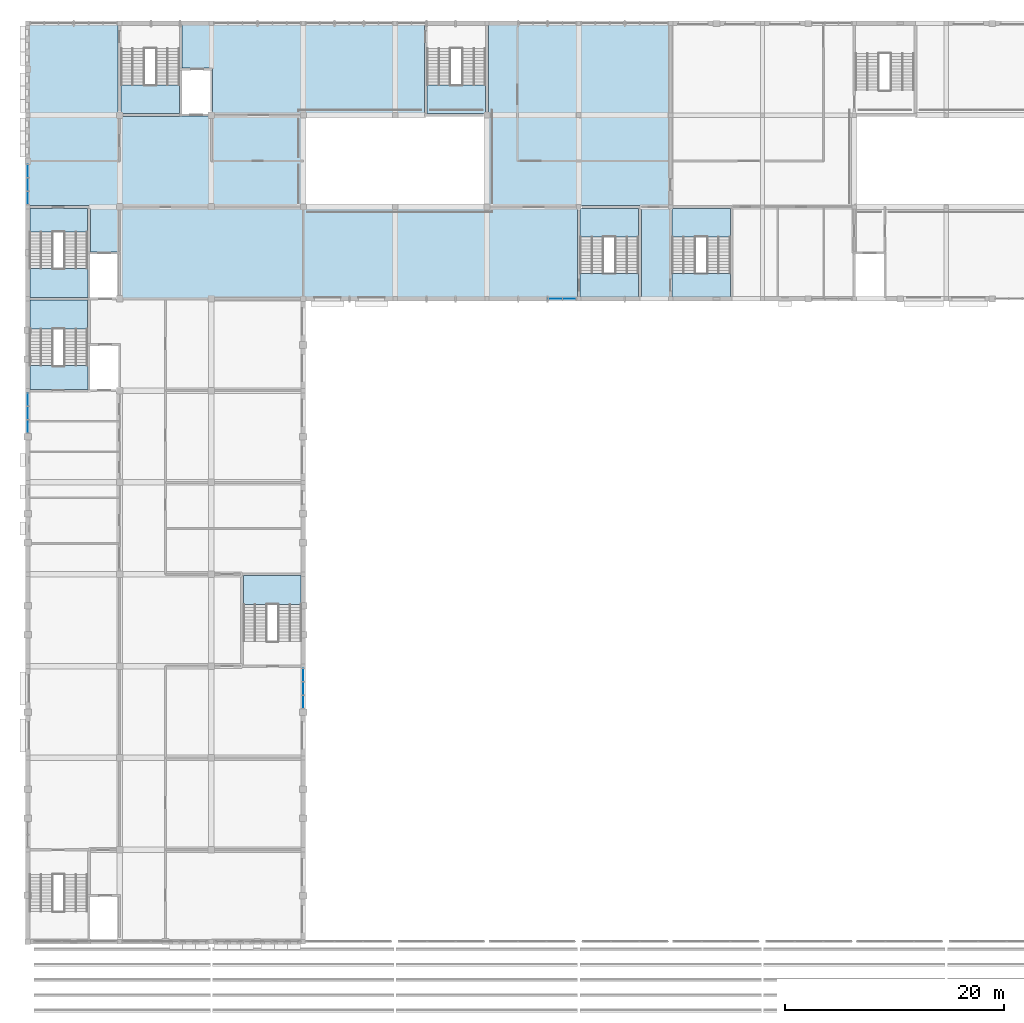
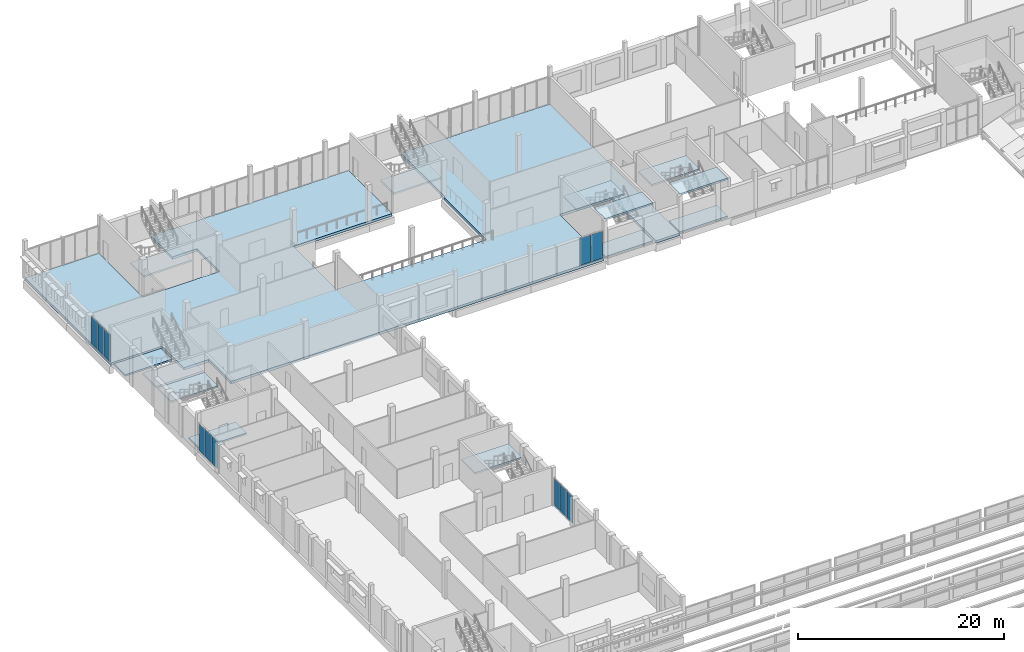
# One storey, part 86 of 116: 14 slabs, 11 plates, 11 elements without a shape of their own.
"""IFC4 building model written with IfcOpenShell, lengths in metres."""

from ifc_helpers import new_model, si_unit, direction, frame, origin, origin_2d, place, context, subcontext, project, spatial, polyline, rectangle, outline, extrude, material, layer, layer_set, type_object, element, aggregate, save


model = new_model("IFC4")

# Units and contexts
model_context = context("Model", 3, precision=1e-05, world=origin(), true_north=direction((0.0, 1.0)))
body_context = subcontext(model_context, "Body", "Model", "MODEL_VIEW")
ifc_project = project(units=[si_unit("LENGTHUNIT", "METRE"), si_unit("AREAUNIT", "SQUARE_METRE"), si_unit("VOLUMEUNIT", "CUBIC_METRE"), si_unit("PLANEANGLEUNIT", "RADIAN"), si_unit("MASSUNIT", "GRAM", prefix="KILO")], contexts=[model_context])

# Site, building, storey
site_placement = place(None, origin())
site = spatial("IfcSite", under=ifc_project, at=site_placement, CompositionType="ELEMENT")
building_placement = place(site_placement, origin())
building = spatial("IfcBuilding", under=site, at=building_placement, Name="Fescue Hill Polytechnic", CompositionType="ELEMENT")
storey_placement = place(building_placement, frame((0.0, 0.0, 13.5)))
storey = spatial("IfcBuildingStorey", under=building, at=storey_placement, Name="L03", CompositionType="ELEMENT", Elevation=13.5)

# Slab
ifc_material_1 = material(Name="Concrete 35 MPa", Category="concrete")
ifc_layer_1 = layer(ifc_material_1, 0.300048828125)
ifc_layer_set_1 = layer_set([ifc_layer_1], Name="Concrete 35 MPa")
slab_type_1 = type_object("IfcSlabType", Name="Floor slab 300", PredefinedType="FLOOR", material=ifc_layer_set_1)
slab_1_placement = place(storey_placement, frame((0.0, 0.0, -0.300048828125)))
element("IfcSlab", 1, at=slab_1_placement, inside=storey, type_object=slab_type_1, Name="SL-L03-V5-1", PredefinedType="FLOOR", context=body_context, shape_type="SweptSolid", body=[
    extrude(outline(polyline([(0.0, 134.39990234375), (8.27490234375, 134.39990234375), (8.27490234375, 125.875), (14.125, 125.875), (14.125, 125.89990234375), (16.89990234375, 125.89990234375), (16.89990234375, 130.300048828125), (14.125, 130.300048828125), (14.125, 134.39990234375), (36.27490234375, 134.39990234375), (36.27490234375, 126.0), (25.199951171875, 126.0), (25.199951171875, 117.60009765625), (42.0, 117.60009765625), (42.0, 125.875), (42.125, 125.875), (42.125, 134.39990234375), (58.800048828125, 134.39990234375), (58.800048828125, 109.199951171875), (56.125, 109.199951171875), (56.125, 117.72509765625), (50.27490234375, 117.72509765625), (50.27490234375, 109.199951171875), (8.5, 109.199951171875), (8.5, 113.5), (5.72509765625, 113.5), (5.72509765625, 117.72509765625), (0.0, 117.72509765625), (0.0, 134.39990234375)])), origin(), (0.0, 0.0, 1.0), 0.300048828125),
])

# Curtain wall, plates
ifc_material_2 = material(Name="Glass", Category="glass")
curtain_wall_type = type_object("IfcCurtainWallType", Name="Curtain wall structural glazing", PredefinedType="NOTDEFINED", material=ifc_material_2)
curtain_wall_1_placement = place(storey_placement, origin())
curtain_wall_1 = element("IfcCurtainWall", 2, at=curtain_wall_1_placement, inside=storey, type_object=curtain_wall_type, Name="CW-L03-V4-X2", PredefinedType="NOTDEFINED")
ifc_layer_2 = layer(ifc_material_2, 0.028076171875)
ifc_layer_set_2 = layer_set([ifc_layer_2], Name="Glass")
plate_type = type_object("IfcPlateType", Name="Panel glazing 28", PredefinedType="CURTAIN_PANEL", material=ifc_layer_set_2)
plate_1_placement = place(storey_placement, frame((0.0, 99.96826171875, 0.06005859375), z_axis=(0.0, 0.0, 1.0), x_axis=(0.0, -1.0, 0.0)))
plate_1 = element("IfcPlate", 3, at=plate_1_placement, type_object=plate_type, Name="CW129 panel 1.1", PredefinedType="CURTAIN_PANEL", context=body_context, shape_type="SweptSolid", body=[
    extrude(rectangle(XDim=1.143310546875, YDim=0.028076171875, at=origin_2d()), origin(), (0.0, 0.0, 1.0), 3.2099609375),
])
plate_2_placement = place(storey_placement, frame((0.0, 98.75, 0.06005859375), z_axis=(0.0, 0.0, 1.0), x_axis=(0.0, -1.0, 0.0)))
plate_2 = element("IfcPlate", 4, at=plate_2_placement, type_object=plate_type, Name="CW129 panel 2.1", PredefinedType="CURTAIN_PANEL", context=body_context, shape_type="SweptSolid", body=[
    extrude(rectangle(XDim=1.17333984375, YDim=0.028076171875, at=origin_2d()), origin(), (0.0, 0.0, 1.0), 3.2099609375),
])
plate_3_placement = place(storey_placement, frame((0.0, 97.53173828125, 0.06005859375), z_axis=(0.0, 0.0, 1.0), x_axis=(0.0, -1.0, 0.0)))
plate_3 = element("IfcPlate", 5, at=plate_3_placement, type_object=plate_type, Name="CW129 panel 3.1", PredefinedType="CURTAIN_PANEL", context=body_context, shape_type="SweptSolid", body=[
    extrude(rectangle(XDim=1.143310546875, YDim=0.028076171875, at=origin_2d()), origin(), (0.0, 0.0, 1.0), 3.2099609375),
])
aggregate(curtain_wall_1, [plate_1, plate_2, plate_3])

curtain_wall_2_placement = place(storey_placement, origin())
curtain_wall_2 = element("IfcCurtainWall", 6, at=curtain_wall_2_placement, inside=storey, type_object=curtain_wall_type, Name="CW-L03-V4-X3", PredefinedType="NOTDEFINED")
plate_4_placement = place(storey_placement, frame((25.199951171875, 72.331787109375, 0.06005859375), z_axis=(0.0, 0.0, 1.0), x_axis=(0.0, 1.0, 0.0)))
plate_4 = element("IfcPlate", 7, at=plate_4_placement, type_object=plate_type, Name="CW136 panel 1.1", PredefinedType="CURTAIN_PANEL", context=body_context, shape_type="SweptSolid", body=[
    extrude(rectangle(XDim=1.143310546875, YDim=0.028076171875, at=origin_2d()), origin(), (0.0, 0.0, 1.0), 3.2099609375),
])
plate_5_placement = place(storey_placement, frame((25.199951171875, 73.550048828125, 0.06005859375), z_axis=(0.0, 0.0, 1.0), x_axis=(0.0, 1.0, 0.0)))
plate_5 = element("IfcPlate", 8, at=plate_5_placement, type_object=plate_type, Name="CW136 panel 2.1", PredefinedType="CURTAIN_PANEL", context=body_context, shape_type="SweptSolid", body=[
    extrude(rectangle(XDim=1.17333984375, YDim=0.028076171875, at=origin_2d()), origin(), (0.0, 0.0, 1.0), 3.2099609375),
])
plate_6_placement = place(storey_placement, frame((25.199951171875, 74.768310546875, 0.06005859375), z_axis=(0.0, 0.0, 1.0), x_axis=(0.0, 1.0, 0.0)))
plate_6 = element("IfcPlate", 9, at=plate_6_placement, type_object=plate_type, Name="CW136 panel 3.1", PredefinedType="CURTAIN_PANEL", context=body_context, shape_type="SweptSolid", body=[
    extrude(rectangle(XDim=1.143310546875, YDim=0.028076171875, at=origin_2d()), origin(), (0.0, 0.0, 1.0), 3.2099609375),
])
aggregate(curtain_wall_2, [plate_4, plate_5, plate_6])

curtain_wall_3_placement = place(storey_placement, origin())
curtain_wall_3 = element("IfcCurtainWall", 10, at=curtain_wall_3_placement, inside=storey, type_object=curtain_wall_type, Name="CW-L03-V5-X1", PredefinedType="NOTDEFINED")
plate_7_placement = place(storey_placement, frame((0.0, 120.868408203125, 0.06005859375), z_axis=(0.0, 0.0, 1.0), x_axis=(0.0, -1.0, 0.0)))
plate_7 = element("IfcPlate", 11, at=plate_7_placement, type_object=plate_type, Name="CW146 panel 1.1", PredefinedType="CURTAIN_PANEL", context=body_context, shape_type="SweptSolid", body=[
    extrude(rectangle(XDim=1.143310546875, YDim=0.028076171875, at=origin_2d()), origin(), (0.0, 0.0, 1.0), 3.2099609375),
])
plate_8_placement = place(storey_placement, frame((0.0, 119.64990234375, 0.06005859375), z_axis=(0.0, 0.0, 1.0), x_axis=(0.0, -1.0, 0.0)))
plate_8 = element("IfcPlate", 12, at=plate_8_placement, type_object=plate_type, Name="CW146 panel 2.1", PredefinedType="CURTAIN_PANEL", context=body_context, shape_type="SweptSolid", body=[
    extrude(rectangle(XDim=1.17333984375, YDim=0.028076171875, at=origin_2d()), origin(), (0.0, 0.0, 1.0), 3.2099609375),
])
plate_9_placement = place(storey_placement, frame((0.0, 118.431640625, 0.06005859375), z_axis=(0.0, 0.0, 1.0), x_axis=(0.0, -1.0, 0.0)))
plate_9 = element("IfcPlate", 13, at=plate_9_placement, type_object=plate_type, Name="CW146 panel 3.1", PredefinedType="CURTAIN_PANEL", context=body_context, shape_type="SweptSolid", body=[
    extrude(rectangle(XDim=1.143310546875, YDim=0.028076171875, at=origin_2d()), origin(), (0.0, 0.0, 1.0), 3.2099609375),
])
aggregate(curtain_wall_3, [plate_7, plate_8, plate_9])

curtain_wall_4_placement = place(storey_placement, origin())
curtain_wall_4 = element("IfcCurtainWall", 14, at=curtain_wall_4_placement, inside=storey, type_object=curtain_wall_type, Name="CW-L03-V5-X4", PredefinedType="NOTDEFINED")
plate_10_placement = place(storey_placement, frame((48.260009765625, 109.199951171875, 0.06005859375), z_axis=(0.0, 0.0, 1.0), x_axis=(1.0, 0.0, 0.0)))
plate_10 = element("IfcPlate", 15, at=plate_10_placement, type_object=plate_type, Name="CW164 panel 1.1", PredefinedType="CURTAIN_PANEL", context=body_context, shape_type="SweptSolid", body=[
    extrude(rectangle(XDim=1.21337890625, YDim=0.028076171875, at=origin_2d()), origin(), (0.0, 0.0, 1.0), 3.2099609375),
])
plate_11_placement = place(storey_placement, frame((49.533203125, 109.199951171875, 0.06005859375), z_axis=(0.0, 0.0, 1.0), x_axis=(1.0, 0.0, 0.0)))
plate_11 = element("IfcPlate", 16, at=plate_11_placement, type_object=plate_type, Name="CW164 panel 2.1", PredefinedType="CURTAIN_PANEL", context=body_context, shape_type="SweptSolid", body=[
    extrude(rectangle(XDim=1.21337890625, YDim=0.028076171875, at=origin_2d()), origin(), (0.0, 0.0, 1.0), 3.2099609375),
])
aggregate(curtain_wall_4, [plate_10, plate_11])

# Stair, slabs
stair_type = type_object("IfcStairType", Name="Half-turn stair 2150 flights", PredefinedType="HALF_TURN_STAIR", material=ifc_material_1)
stair_1_placement = place(storey_placement, origin())
stair_1 = element("IfcStair", 17, at=stair_1_placement, inside=storey, type_object=stair_type, Name="L03 ST-V4-2 stair", PredefinedType="HALF_TURN_STAIR")
ifc_layer_3 = layer(ifc_material_1, 0.199951171875)
ifc_layer_set_3 = layer_set([ifc_layer_3], Name="Concrete 35 MPa")
slab_type_2 = type_object("IfcSlabType", Name="Stair landing slab 200", PredefinedType="LANDING", material=ifc_layer_set_3)
slab_2_placement = place(storey_placement, frame((0.0, 0.0, 2.050048828125)))
slab_2 = element("IfcSlab", 18, at=slab_2_placement, type_object=slab_type_2, Name="S16 landing 1", PredefinedType="LANDING", context=body_context, shape_type="SweptSolid", body=[
    extrude(outline(polyline([(0.22509765625, 106.43505859375), (5.47509765625, 106.43505859375), (5.47509765625, 109.074951171875), (0.22509765625, 109.074951171875), (0.22509765625, 106.43505859375)])), origin(), (0.0, 0.0, 1.0), 0.199951171875),
])
slab_3_placement = place(storey_placement, frame((0.0, 0.0, -0.199951171875)))
slab_3 = element("IfcSlab", 19, at=slab_3_placement, type_object=slab_type_2, Name="S16 landing 2", PredefinedType="LANDING", context=body_context, shape_type="SweptSolid", body=[
    extrude(outline(polyline([(0.22509765625, 100.925048828125), (5.5, 100.925048828125), (5.5, 103.074951171875), (0.22509765625, 103.074951171875), (0.22509765625, 100.925048828125)])), origin(), (0.0, 0.0, 1.0), 0.199951171875),
])
aggregate(stair_1, [slab_2, slab_3])

# Stair, slab
stair_2_placement = place(storey_placement, origin())
stair_2 = element("IfcStair", 20, at=stair_2_placement, inside=storey, type_object=stair_type, Name="L03 ST-V4-3 stair", PredefinedType="HALF_TURN_STAIR")
slab_4_placement = place(storey_placement, frame((0.0, 0.0, 2.050048828125)))
slab_4 = element("IfcSlab", 21, at=slab_4_placement, type_object=slab_type_2, Name="S17 landing 1", PredefinedType="LANDING", context=body_context, shape_type="SweptSolid", body=[
    extrude(outline(polyline([(19.72509765625, 81.235107421875), (24.97509765625, 81.235107421875), (24.97509765625, 83.875), (19.72509765625, 83.875), (19.72509765625, 81.235107421875)])), origin(), (0.0, 0.0, 1.0), 0.199951171875),
])
aggregate(stair_2, [slab_4])

# Stair, slabs
stair_3_placement = place(storey_placement, origin())
stair_3 = element("IfcStair", 22, at=stair_3_placement, inside=storey, type_object=stair_type, Name="L03 ST-V5-1 stair", PredefinedType="HALF_TURN_STAIR")
slab_5_placement = place(storey_placement, frame((0.0, 0.0, 2.050048828125)))
slab_5 = element("IfcSlab", 23, at=slab_5_placement, type_object=slab_type_2, Name="S18 landing 1", PredefinedType="LANDING", context=body_context, shape_type="SweptSolid", body=[
    extrude(outline(polyline([(0.2099609375, 109.324951171875), (5.5, 109.324951171875), (5.5, 111.965087890625), (0.2099609375, 111.965087890625), (0.2099609375, 109.324951171875)])), origin(), (0.0, 0.0, 1.0), 0.199951171875),
])
slab_6_placement = place(storey_placement, frame((0.0, 0.0, -0.199951171875)))
slab_6 = element("IfcSlab", 24, at=slab_6_placement, type_object=slab_type_2, Name="S18 landing 2", PredefinedType="LANDING", context=body_context, shape_type="SweptSolid", body=[
    extrude(outline(polyline([(0.2099609375, 115.324951171875), (5.47509765625, 115.324951171875), (5.47509765625, 117.47509765625), (0.2099609375, 117.47509765625), (0.2099609375, 115.324951171875)])), origin(), (0.0, 0.0, 1.0), 0.199951171875),
])
aggregate(stair_3, [slab_5, slab_6])

# Stair, slab
stair_4_placement = place(storey_placement, origin())
stair_4 = element("IfcStair", 25, at=stair_4_placement, inside=storey, type_object=stair_type, Name="L03 ST-V5-2 stair", PredefinedType="HALF_TURN_STAIR")
slab_7_placement = place(storey_placement, frame((0.0, 0.0, 2.050048828125)))
slab_7 = element("IfcSlab", 26, at=slab_7_placement, type_object=slab_type_2, Name="S19 landing 1", PredefinedType="LANDING", context=body_context, shape_type="SweptSolid", body=[
    extrude(outline(polyline([(36.52490234375, 126.125), (41.875, 126.125), (41.875, 128.739990234375), (36.52490234375, 128.739990234375), (36.52490234375, 126.125)])), origin(), (0.0, 0.0, 1.0), 0.199951171875),
])
aggregate(stair_4, [slab_7])

stair_5_placement = place(storey_placement, origin())
stair_5 = element("IfcStair", 27, at=stair_5_placement, inside=storey, type_object=stair_type, Name="L03 ST-V5-3 stair", PredefinedType="HALF_TURN_STAIR")
slab_8_placement = place(storey_placement, frame((0.0, 0.0, 2.050048828125)))
slab_8 = element("IfcSlab", 28, at=slab_8_placement, type_object=slab_type_2, Name="S20 landing 1", PredefinedType="LANDING", context=body_context, shape_type="SweptSolid", body=[
    extrude(outline(polyline([(8.52490234375, 126.125), (13.89990234375, 126.125), (13.89990234375, 128.739990234375), (8.52490234375, 128.739990234375), (8.52490234375, 126.125)])), origin(), (0.0, 0.0, 1.0), 0.199951171875),
])
aggregate(stair_5, [slab_8])

# Stair, slabs
stair_6_placement = place(storey_placement, origin())
stair_6 = element("IfcStair", 29, at=stair_6_placement, inside=storey, type_object=stair_type, Name="L03 ST-V5-4 stair", PredefinedType="HALF_TURN_STAIR")
slab_9_placement = place(storey_placement, frame((0.0, 0.0, 2.050048828125)))
slab_9 = element("IfcSlab", 30, at=slab_9_placement, type_object=slab_type_2, Name="S21 landing 1", PredefinedType="LANDING", context=body_context, shape_type="SweptSolid", body=[
    extrude(outline(polyline([(50.52490234375, 114.860107421875), (55.875, 114.860107421875), (55.875, 117.47509765625), (50.52490234375, 117.47509765625), (50.52490234375, 114.860107421875)])), origin(), (0.0, 0.0, 1.0), 0.199951171875),
])
slab_10_placement = place(storey_placement, frame((0.0, 0.0, -0.199951171875)))
slab_10 = element("IfcSlab", 31, at=slab_10_placement, type_object=slab_type_2, Name="S21 landing 2", PredefinedType="LANDING", context=body_context, shape_type="SweptSolid", body=[
    extrude(outline(polyline([(50.52490234375, 109.35009765625), (55.875, 109.35009765625), (55.875, 111.5), (50.52490234375, 111.5), (50.52490234375, 109.35009765625)])), origin(), (0.0, 0.0, 1.0), 0.199951171875),
])
slab_11_placement = place(storey_placement, frame((0.0, 0.0, 4.300048828125)))
slab_11 = element("IfcSlab", 32, at=slab_11_placement, type_object=slab_type_2, Name="S21 landing 3", PredefinedType="LANDING", context=body_context, shape_type="SweptSolid", body=[
    extrude(outline(polyline([(50.52490234375, 109.35009765625), (55.875, 109.35009765625), (55.875, 111.5), (50.52490234375, 111.5), (50.52490234375, 109.35009765625)])), origin(), (0.0, 0.0, 1.0), 0.199951171875),
])
aggregate(stair_6, [slab_9, slab_10, slab_11])

stair_7_placement = place(storey_placement, origin())
stair_7 = element("IfcStair", 33, at=stair_7_placement, inside=storey, type_object=stair_type, Name="L03 ST-V4b-1 stair", PredefinedType="HALF_TURN_STAIR")
slab_12_placement = place(storey_placement, frame((0.0, 0.0, 2.050048828125)))
slab_12 = element("IfcSlab", 34, at=slab_12_placement, type_object=slab_type_2, Name="S22 landing 1", PredefinedType="LANDING", context=body_context, shape_type="SweptSolid", body=[
    extrude(outline(polyline([(58.925048828125, 114.860107421875), (64.27490234375, 114.860107421875), (64.27490234375, 117.47509765625), (58.925048828125, 117.47509765625), (58.925048828125, 114.860107421875)])), origin(), (0.0, 0.0, 1.0), 0.199951171875),
])
slab_13_placement = place(storey_placement, frame((0.0, 0.0, -0.199951171875)))
slab_13 = element("IfcSlab", 35, at=slab_13_placement, type_object=slab_type_2, Name="S22 landing 2", PredefinedType="LANDING", context=body_context, shape_type="SweptSolid", body=[
    extrude(outline(polyline([(58.925048828125, 109.35009765625), (64.27490234375, 109.35009765625), (64.27490234375, 111.5), (58.925048828125, 111.5), (58.925048828125, 109.35009765625)])), origin(), (0.0, 0.0, 1.0), 0.199951171875),
])
slab_14_placement = place(storey_placement, frame((0.0, 0.0, 4.300048828125)))
slab_14 = element("IfcSlab", 36, at=slab_14_placement, type_object=slab_type_2, Name="S22 landing 3", PredefinedType="LANDING", context=body_context, shape_type="SweptSolid", body=[
    extrude(outline(polyline([(58.925048828125, 109.35009765625), (64.27490234375, 109.35009765625), (64.27490234375, 111.5), (58.925048828125, 111.5), (58.925048828125, 109.35009765625)])), origin(), (0.0, 0.0, 1.0), 0.199951171875),
])
aggregate(stair_7, [slab_12, slab_13, slab_14])

save(model, "model.ifc")
